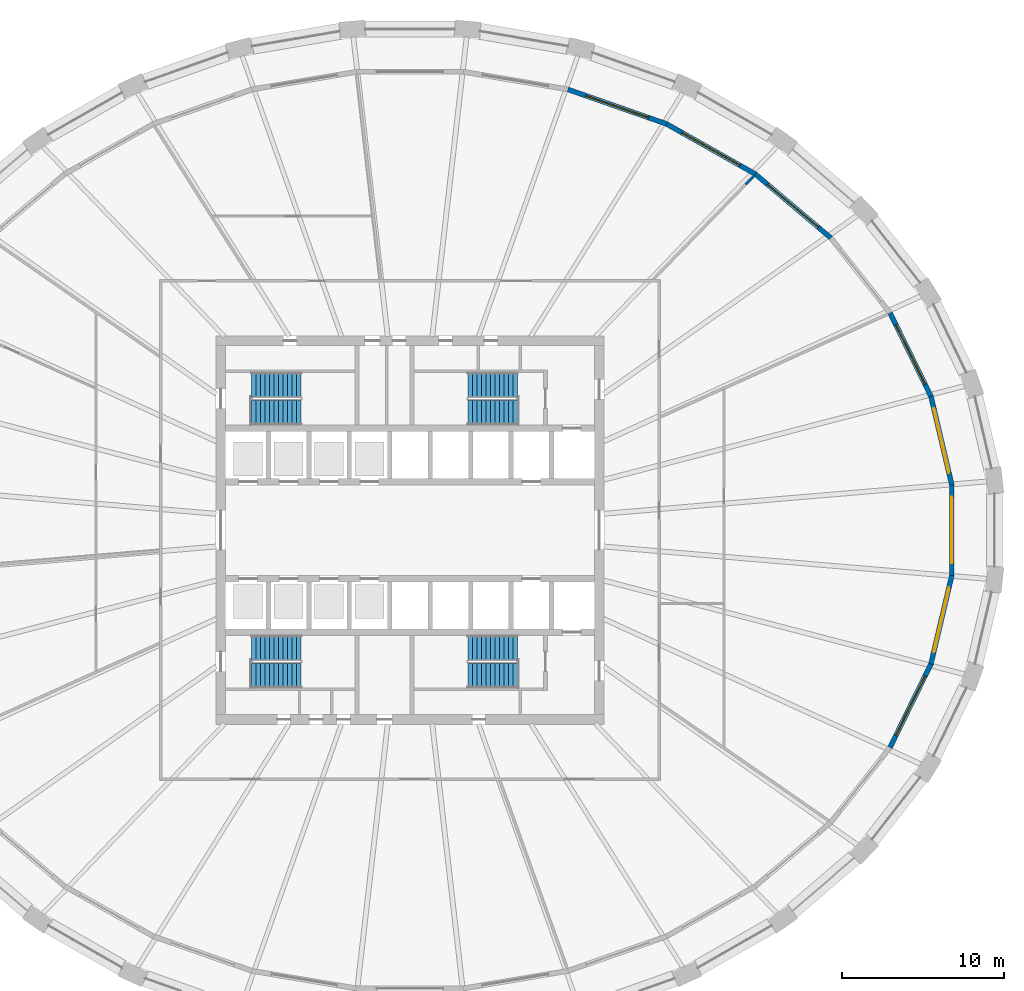
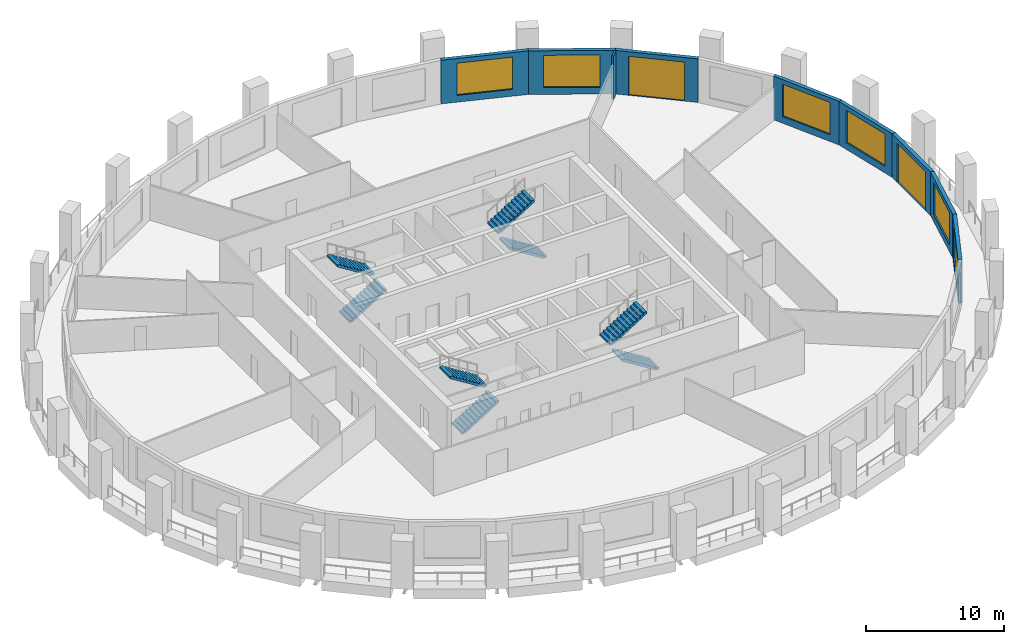
# One storey, part 7 of 10: 9 walls, 8 stair flights, 6 windows, 2 doors, 8 openings, 4 elements without a shape of their own.
"""IFC4 building model written with IfcOpenShell, lengths in metres."""

import ifcopenshell
import ifcopenshell.guid

model = None  # the IFC model being written
_history = None  # IfcOwnerHistory: only IFC2X3 demands one
_inside = {}  # id of a spatial element -> (the spatial element, [elements in it])
_under = {}  # id of a project, library or spatial element -> (it, [spatial elements below it])
_declared = {}  # id of a project -> (the project, [libraries it declares])
_typed = {}  # id of a type object -> (the type object, [elements of that type])
_made_of = {}  # id of a material, layer set ... -> (it, [elements and type objects made of it])


def new_model(schema):
    """Start an empty IFC model of exactly this schema.

    Asked for "IFC4X3", IfcOpenShell would pick the latest addendum, in which some entities
    have other attributes; the version numbers below select the first issue.
    IFC2X3 requires an IfcOwnerHistory on every rooted entity: one is made here for all.
    """
    global model, _history
    if schema == "IFC4X3":
        model = ifcopenshell.file(schema_version=(4, 3, 0, 0))
    else:
        model = ifcopenshell.file(schema=schema)
    _inside.clear()
    _under.clear()
    _declared.clear()
    _typed.clear()
    _made_of.clear()
    _history = None
    if model.schema == "IFC2X3":
        org = make("IfcOrganization", Name="unknown")
        user = make(
            "IfcPersonAndOrganization",
            ThePerson=make("IfcPerson", FamilyName="unknown"),
            TheOrganization=org,
        )
        app = make(
            "IfcApplication",
            ApplicationDeveloper=org,
            Version="unknown",
            ApplicationFullName="unknown",
            ApplicationIdentifier="unknown",
        )
        _history = make(
            "IfcOwnerHistory",
            OwningUser=user,
            OwningApplication=app,
            ChangeAction="ADDED",
            CreationDate=0,
        )
    return model


def make(cls, **values):
    """One entity of the class cls with the attributes given. An attribute that is None is left unset."""
    return model.create_entity(
        cls, **{name: value for name, value in values.items() if value is not None}
    )


def rooted(cls, **values):
    """An entity with a GlobalId (a new one), such as an element, a storey or a relation."""
    return make(cls, GlobalId=ifcopenshell.guid.new(), OwnerHistory=_history, **values)


def si_unit(unit_type, name, prefix=None):
    """IfcSIUnit, for example si_unit("LENGTHUNIT", "METRE", prefix="MILLI")."""
    return make("IfcSIUnit", UnitType=unit_type, Prefix=prefix, Name=name)


def assignment(units):
    """IfcUnitAssignment: the units of a project."""
    return None if units is None else make("IfcUnitAssignment", Units=units)


def point(xyz):
    """IfcCartesianPoint."""
    return None if xyz is None else make("IfcCartesianPoint", Coordinates=xyz)


def direction(xyz):
    """IfcDirection."""
    return None if xyz is None else make("IfcDirection", DirectionRatios=xyz)


def frame(location, z_axis=None, x_axis=None):
    """IfcAxis2Placement3D, a coordinate frame: its origin and axes. An axis left out is left unset."""
    return make(
        "IfcAxis2Placement3D",
        Location=point(location),
        Axis=direction(z_axis),
        RefDirection=direction(x_axis),
    )


def frame_2d(location, x_axis=None):
    """IfcAxis2Placement2D, a coordinate frame in the plane: its origin and x axis."""
    return make(
        "IfcAxis2Placement2D", Location=point(location), RefDirection=direction(x_axis)
    )


def origin():
    """The frame at (0, 0, 0) with its axes left unset."""
    return frame((0.0, 0.0, 0.0))


def place(relative_to, where):
    """IfcLocalPlacement: puts the frame where relative to a parent placement (None: the world)."""
    return make(
        "IfcLocalPlacement", PlacementRelTo=relative_to, RelativePlacement=where
    )


def context(
    kind, dimensions, precision=None, world=None, true_north=None, identifier=None
):
    """IfcGeometricRepresentationContext, for example the 3D "Model" context."""
    return make(
        "IfcGeometricRepresentationContext",
        ContextIdentifier=identifier,
        ContextType=kind,
        CoordinateSpaceDimension=dimensions,
        Precision=precision,
        WorldCoordinateSystem=world,
        TrueNorth=true_north,
    )


def subcontext(parent, identifier, kind, view, scale=None):
    """IfcGeometricRepresentationSubContext, for example "Body" below "Model"."""
    return make(
        "IfcGeometricRepresentationSubContext",
        ContextIdentifier=identifier,
        ContextType=kind,
        ParentContext=parent,
        TargetScale=scale,
        TargetView=view,
    )


def project(units=None, contexts=None):
    """IfcProject with its units and contexts."""
    return rooted(
        "IfcProject",
        Name="project",
        RepresentationContexts=contexts,
        UnitsInContext=assignment(units),
    )


def spatial(cls, under=None, at=None, **own):
    """A site, building, storey or space (cls), placed at a placement, below another one or the project."""
    s = rooted(cls, ObjectPlacement=at, **own)
    if under is not None:
        _under.setdefault(under.id(), (under, []))[1].append(s)
    return s


def polyline(points):
    """IfcPolyline through the points."""
    return make("IfcPolyline", Points=[point(p) for p in points])


def profile(cls, at=None, kind="AREA", **sizes):
    """A parametric profile (cls). Its sizes go by their IFC names, for example OverallWidth=200.0."""
    return make(cls, ProfileType=kind, Position=at, **sizes)


def rectangle(**sizes):
    """IfcRectangleProfileDef."""
    return profile("IfcRectangleProfileDef", **sizes)


def outline(outer, holes=None, kind="AREA"):
    """IfcArbitraryClosedProfileDef: a profile drawn as a closed curve; with holes, ...WithVoids."""
    if holes is None:
        return make("IfcArbitraryClosedProfileDef", ProfileType=kind, OuterCurve=outer)
    return make(
        "IfcArbitraryProfileDefWithVoids",
        ProfileType=kind,
        OuterCurve=outer,
        InnerCurves=holes,
    )


def extrude(swept, where, along, depth):
    """IfcExtrudedAreaSolid: the profile swept, set in the frame where, extruded along a direction by depth."""
    return make(
        "IfcExtrudedAreaSolid",
        SweptArea=swept,
        Position=where,
        ExtrudedDirection=direction(along),
        Depth=depth,
    )


def shape(context_of_items, identifier, shape_type, items):
    """IfcShapeRepresentation: the items that make up one representation, for example the "Body"."""
    return make(
        "IfcShapeRepresentation",
        ContextOfItems=context_of_items,
        RepresentationIdentifier=identifier,
        RepresentationType=shape_type,
        Items=items,
    )


def material(Name=None, Category=None):
    """IfcMaterial."""
    return make("IfcMaterial", Name=Name, Category=Category)


def layer(
    of_material, thickness, ventilated=None, Name=None, Category=None, Priority=None
):
    """IfcMaterialLayer: one layer of a wall or slab, of a material (None: an air gap)."""
    return make(
        "IfcMaterialLayer",
        Material=of_material,
        LayerThickness=thickness,
        IsVentilated=ventilated,
        Name=Name,
        Category=Category,
        Priority=Priority,
    )


def layer_set(layers, Name=None):
    """IfcMaterialLayerSet."""
    return make("IfcMaterialLayerSet", MaterialLayers=layers, LayerSetName=Name)


def made_of(thing, what):
    """Note that an element or type object is made of a material, layer set ...; save() writes the relation."""
    if what is not None:
        _made_of.setdefault(what.id(), (what, []))[1].append(thing)
    return thing


def type_object(cls, material=None, **own):
    """A type object (cls), such as IfcWallType, which elements share."""
    return made_of(rooted(cls, **own), material)


def element(
    cls,
    number,
    at=None,
    inside=None,
    cuts=None,
    type_object=None,
    material=None,
    context=None,
    identifier="Body",
    shape_type=None,
    held_by="IfcProductDefinitionShape",
    body=None,
    shapes=None,
    **own,
):
    """One element of the class cls, such as IfcWall. Its Tag is "e" and its number.

    at: its placement. inside: the storey or other place that contains it. cuts: it is an
    opening in that element (IfcRelVoidsElement). A single representation is given by context,
    identifier, shape_type and body (its items); several are given by shapes. held_by: the class
    of the entity that holds the representations. save() writes the other relations.
    """
    e = rooted(cls, Tag="e%d" % number, ObjectPlacement=at, **own)
    if body is not None:
        shapes = [shape(context, identifier, shape_type, body)]
    if shapes is not None:
        e.Representation = make(held_by, Representations=shapes)
    if inside is not None:
        _inside.setdefault(inside.id(), (inside, []))[1].append(e)
    if cuts is not None:
        rooted(
            "IfcRelVoidsElement", RelatingBuildingElement=cuts, RelatedOpeningElement=e
        )
    if type_object is not None:
        _typed.setdefault(type_object.id(), (type_object, []))[1].append(e)
    return made_of(e, material)


def fill(opening, filler):
    """IfcRelFillsElement: the door or window that sits in an opening."""
    return rooted(
        "IfcRelFillsElement",
        RelatingOpeningElement=opening,
        RelatedBuildingElement=filler,
    )


def aggregate(whole, parts):
    """IfcRelAggregates: a whole, such as a stair, and the parts it consists of."""
    return rooted("IfcRelAggregates", RelatingObject=whole, RelatedObjects=parts)


def save(model, path):
    """Write the relations noted so far, then the file.

    IfcRelAggregates (storeys below a building ...), IfcRelContainedInSpatialStructure (elements
    in a storey), IfcRelDefinesByType, IfcRelAssociatesMaterial and IfcRelDeclares: one each for
    every whole, place, type object, material and project.
    """
    for whole, parts in _under.values():
        aggregate(whole, parts)
    for where, things in _inside.values():
        rooted(
            "IfcRelContainedInSpatialStructure",
            RelatedElements=things,
            RelatingStructure=where,
        )
    for kind, things in _typed.values():
        rooted("IfcRelDefinesByType", RelatedObjects=things, RelatingType=kind)
    for what, things in _made_of.values():
        rooted("IfcRelAssociatesMaterial", RelatedObjects=things, RelatingMaterial=what)
    for by, libraries in _declared.values():
        rooted("IfcRelDeclares", RelatingContext=by, RelatedDefinitions=libraries)
    model.write(path)


model = new_model("IFC4")

# Units and contexts
model_context = context("Model", 3, precision=1e-05, world=origin(), true_north=direction((0.0, 1.0)))
body_context = subcontext(model_context, "Body", "Model", "MODEL_VIEW")
ifc_project = project(units=[si_unit("LENGTHUNIT", "METRE"), si_unit("AREAUNIT", "SQUARE_METRE"), si_unit("VOLUMEUNIT", "CUBIC_METRE"), si_unit("PLANEANGLEUNIT", "RADIAN"), si_unit("MASSUNIT", "GRAM", prefix="KILO")], contexts=[model_context])

# Site, building, storey
site_placement = place(None, origin())
site = spatial("IfcSite", under=ifc_project, at=site_placement, CompositionType="ELEMENT")
building_placement = place(site_placement, origin())
building = spatial("IfcBuilding", under=site, at=building_placement, Name="Halqa Exchange Tower", CompositionType="ELEMENT")
storey_placement = place(building_placement, frame((0.0, 0.0, 94.89990234375)))
storey = spatial("IfcBuildingStorey", under=building, at=storey_placement, Name="L21", CompositionType="ELEMENT", Elevation=94.89990234375)

# Wall
ifc_material_1 = material(Name="Fire-rated gypsum board")
ifc_layer_1 = layer(ifc_material_1, 0.14990234375)
ifc_layer_set_1 = layer_set([ifc_layer_1], Name="Fire-rated gypsum board")
wall_type_1 = type_object("IfcWallType", Name="Fire partition EI 60 150", PredefinedType="PARTITIONING", material=ifc_layer_set_1)
wall_1_placement = place(storey_placement, frame((20.738525390625, 21.357666015625, 0.0), z_axis=(0.0, 0.0, 1.0), x_axis=(0.697039010439, 0.717033205595, 0.0)))
element("IfcWall", 1, at=wall_1_placement, inside=storey, type_object=wall_type_1, Name="L21-PWL-024", PredefinedType="PARTITIONING", context=body_context, shape_type="SweptSolid", body=[
    extrude(outline(polyline([(0.0, 0.074951171875), (0.0, -0.074951171875), (0.708251953125, -0.074951171875), (0.708251953125, 0.074951171875), (0.0, 0.074951171875)])), origin(), (0.0, 0.0, 1.0), 3.85009765625),
])

# Wall, opening, window
ifc_material_2 = material(Name="Limestone cladding", Category="masonry")
ifc_layer_2 = layer(ifc_material_2, 0.0400390625)
ifc_material_3 = material(Name="Ventilated cavity")
ifc_layer_3 = layer(ifc_material_3, 0.030029296875, ventilated=True)
ifc_material_4 = material(Name="Mineral wool insulation")
ifc_layer_4 = layer(ifc_material_4, 0.10009765625)
ifc_material_5 = material(Name="Concrete C30/37", Category="concrete")
ifc_layer_5 = layer(ifc_material_5, 0.10009765625)
ifc_material_6 = material(Name="Internal plaster")
ifc_layer_6 = layer(ifc_material_6, 0.030029296875)
ifc_layer_set_2 = layer_set([ifc_layer_2, ifc_layer_3, ifc_layer_4, ifc_layer_5, ifc_layer_6], Name="Stone-faced insulated wall 300")
wall_type_2 = type_object("IfcWallType", Name="Stone-faced insulated wall 300", PredefinedType="STANDARD", material=ifc_layer_set_2)
wall_2_placement = place(storey_placement, frame((33.478271484375, 2.791748046875, 0.0), z_axis=(0.0, 0.0, 1.0), x_axis=(-0.229073200999, 0.973409198941, 0.0)))
wall_2 = element("IfcWall", 2, at=wall_2_placement, inside=storey, type_object=wall_type_2, Name="Glass-line wall 1", PredefinedType="STANDARD", context=body_context, shape_type="SweptSolid", body=[
    extrude(outline(polyline([(-0.017333984375, -0.14990234375), (5.64208984375, -0.14990234375), (5.6083984375, 0.14990234375), (0.017333984375, 0.14990234375), (-0.017333984375, -0.14990234375)])), origin(), (0.0, 0.0, 1.0), 3.85009765625),
])
opening_1_placement = place(wall_2_placement, frame((0.7626953125, 0.0, 0.60009765625)))
opening_1 = element("IfcOpeningElement", 3, at=opening_1_placement, cuts=wall_2, Name="Opening W-F1-01", PredefinedType="OPENING", context=body_context, shape_type="SweptSolid", body=[
    extrude(rectangle(XDim=4.10009765625, YDim=2.85009765625, at=frame_2d((2.050048828125, 1.425048828125))), frame((0.0, 0.162109375, 0.0), z_axis=(0.0, -1.0, 0.0), x_axis=(1.0, 0.0, 0.0)), (0.0, 0.0, 1.0), 0.323974609375),
])
ifc_material_7 = material(Name="Clear low-emissivity glass in aluminium frame", Category="aluminium")
window_type = type_object("IfcWindowType", Name="Fixed clear glazed window 4100 x 2850", PartitioningType="TRIPLE_PANEL_VERTICAL", PredefinedType="WINDOW", material=ifc_material_7)
window_1_placement = place(opening_1_placement, origin())
window_1 = element("IfcWindow", 4, at=window_1_placement, inside=storey, type_object=window_type, Name="Window 1", OverallHeight=2.85009765625, OverallWidth=4.10009765625, PartitioningType="TRIPLE_PANEL_VERTICAL", PredefinedType="WINDOW", context=body_context, shape_type="SweptSolid", body=[
    extrude(rectangle(XDim=4.10009765625, YDim=2.85009765625, at=frame_2d((2.050048828125, 1.425048828125))), frame((0.0, 0.030029296875, 0.0), z_axis=(0.0, -1.0, 0.0), x_axis=(1.0, 0.0, 0.0)), (0.0, 0.0, 1.0), 0.06005859375),
])
fill(opening_1, window_1)

wall_3_placement = place(storey_placement, frame((32.189697265625, 8.267333984375, 0.0), z_axis=(0.0, 0.0, 1.0), x_axis=(-0.44010747541, 0.897945104162, 0.0)))
wall_3 = element("IfcWall", 5, at=wall_3_placement, inside=storey, type_object=wall_type_2, Name="Glass-line wall 2", PredefinedType="STANDARD", context=body_context, shape_type="SweptSolid", body=[
    extrude(outline(polyline([(-0.016845703125, -0.14990234375), (5.758056640625, -0.14990234375), (5.725830078125, 0.14990234375), (0.016845703125, 0.14990234375), (-0.016845703125, -0.14990234375)])), origin(), (0.0, 0.0, 1.0), 3.85009765625),
])
opening_2_placement = place(wall_3_placement, frame((0.821044921875, 0.0, 0.60009765625)))
opening_2 = element("IfcOpeningElement", 6, at=opening_2_placement, cuts=wall_3, Name="Opening W-F1-02", PredefinedType="OPENING", context=body_context, shape_type="SweptSolid", body=[
    extrude(rectangle(XDim=4.10009765625, YDim=2.85009765625, at=frame_2d((2.050048828125, 1.425048828125))), frame((0.0, 0.162109375, 0.0), z_axis=(0.0, -1.0, 0.0), x_axis=(1.0, 0.0, 0.0)), (0.0, 0.0, 1.0), 0.323974609375),
])
window_2_placement = place(opening_2_placement, origin())
window_2 = element("IfcWindow", 7, at=window_2_placement, inside=storey, type_object=window_type, Name="Window 1", OverallHeight=2.85009765625, OverallWidth=4.10009765625, PartitioningType="TRIPLE_PANEL_VERTICAL", PredefinedType="WINDOW", context=body_context, shape_type="SweptSolid", body=[
    extrude(rectangle(XDim=4.10009765625, YDim=2.85009765625, at=frame_2d((2.050048828125, 1.425048828125))), frame((0.0, 0.030029296875, 0.0), z_axis=(0.0, -1.0, 0.0), x_axis=(1.0, 0.0, 0.0)), (0.0, 0.0, 1.0), 0.06005859375),
])
fill(opening_2, window_2)

# Wall, opening, door
wall_4_placement = place(storey_placement, frame((25.99609375, 18.0615234375, 0.0), z_axis=(0.0, 0.0, 1.0), x_axis=(-0.763753100684, 0.645508482667, 0.0)))
wall_4 = element("IfcWall", 8, at=wall_4_placement, inside=storey, type_object=wall_type_2, Name="Glass-line wall 4", PredefinedType="STANDARD", context=body_context, shape_type="SweptSolid", body=[
    extrude(outline(polyline([(-0.01513671875, -0.14990234375), (6.12158203125, -0.14990234375), (6.09326171875, 0.14990234375), (0.01513671875, 0.14990234375), (-0.01513671875, -0.14990234375)])), origin(), (0.0, 0.0, 1.0), 3.85009765625),
])
opening_3_placement = place(wall_4_placement, frame((1.003662109375, 0.0, 0.0)))
opening_3 = element("IfcOpeningElement", 9, at=opening_3_placement, cuts=wall_4, Name="Opening LG-F1-01", PredefinedType="OPENING", context=body_context, shape_type="SweptSolid", body=[
    extrude(rectangle(XDim=4.10009765625, YDim=3.449951171875, at=frame_2d((2.050048828125, 1.72509765625))), frame((0.0, 0.162109375, 0.0), z_axis=(0.0, -1.0, 0.0), x_axis=(1.0, 0.0, 0.0)), (0.0, 0.0, 1.0), 0.323974609375),
])
door_type = type_object("IfcDoorType", Name="Glazed sliding loggia door 4100 x 3450", OperationType="DOUBLE_DOOR_SLIDING", PredefinedType="DOOR", material=ifc_material_7)
door_1_placement = place(opening_3_placement, origin())
door_1 = element("IfcDoor", 10, at=door_1_placement, inside=storey, type_object=door_type, Name="Loggia door 1", OperationType="DOUBLE_DOOR_SLIDING", OverallHeight=3.449951171875, OverallWidth=4.10009765625, PredefinedType="DOOR", context=body_context, shape_type="SweptSolid", body=[
    extrude(rectangle(XDim=4.10009765625, YDim=3.449951171875, at=frame_2d((2.050048828125, 1.72509765625))), frame((0.0, 0.02490234375, 0.0), z_axis=(0.0, -1.0, 0.0), x_axis=(1.0, 0.0, 0.0)), (0.0, 0.0, 1.0), 0.050048828125),
])
fill(opening_3, door_1)

# Wall, opening, window
wall_5_placement = place(storey_placement, frame((21.33154296875, 22.00390625, 0.0), z_axis=(0.0, 0.0, 1.0), x_axis=(-0.870737550302, 0.491748023376, 0.0)))
wall_5 = element("IfcWall", 11, at=wall_5_placement, inside=storey, type_object=wall_type_2, Name="Glass-line wall 5", PredefinedType="STANDARD", context=body_context, shape_type="SweptSolid", body=[
    extrude(outline(polyline([(-0.01416015625, -0.14990234375), (6.309814453125, -0.14990234375), (6.282958984375, 0.14990234375), (0.01416015625, 0.14990234375), (-0.01416015625, -0.14990234375)])), origin(), (0.0, 0.0, 1.0), 3.85009765625),
])
opening_4_placement = place(wall_5_placement, frame((1.09814453125, 0.0, 0.60009765625)))
opening_4 = element("IfcOpeningElement", 12, at=opening_4_placement, cuts=wall_5, Name="Opening W-F1-05", PredefinedType="OPENING", context=body_context, shape_type="SweptSolid", body=[
    extrude(rectangle(XDim=4.10009765625, YDim=2.85009765625, at=frame_2d((2.050048828125, 1.425048828125))), frame((0.0, 0.162109375, 0.0), z_axis=(0.0, -1.0, 0.0), x_axis=(1.0, 0.0, 0.0)), (0.0, 0.0, 1.0), 0.323974609375),
])
window_3_placement = place(opening_4_placement, origin())
window_3 = element("IfcWindow", 13, at=window_3_placement, inside=storey, type_object=window_type, Name="Window 1", OverallHeight=2.85009765625, OverallWidth=4.10009765625, PartitioningType="TRIPLE_PANEL_VERTICAL", PredefinedType="WINDOW", context=body_context, shape_type="SweptSolid", body=[
    extrude(rectangle(XDim=4.10009765625, YDim=2.85009765625, at=frame_2d((2.050048828125, 1.425048828125))), frame((0.0, 0.030029296875, 0.0), z_axis=(0.0, -1.0, 0.0), x_axis=(1.0, 0.0, 0.0)), (0.0, 0.0, 1.0), 0.06005859375),
])
fill(opening_4, window_3)

wall_6_placement = place(storey_placement, frame((15.84912109375, 25.10009765625, 0.0), z_axis=(0.0, 0.0, 1.0), x_axis=(-0.943820008365, 0.330459970057, 0.0)))
wall_6 = element("IfcWall", 14, at=wall_6_placement, inside=storey, type_object=wall_type_2, Name="Glass-line wall 6", PredefinedType="STANDARD", context=body_context, shape_type="SweptSolid", body=[
    extrude(outline(polyline([(-0.013427734375, -0.14990234375), (6.46533203125, -0.14990234375), (6.43994140625, 0.14990234375), (0.013427734375, 0.14990234375), (-0.013427734375, -0.14990234375)])), origin(), (0.0, 0.0, 1.0), 3.85009765625),
])
opening_5_placement = place(wall_6_placement, frame((1.17626953125, 0.0, 0.60009765625)))
opening_5 = element("IfcOpeningElement", 15, at=opening_5_placement, cuts=wall_6, Name="Opening W-F1-06", PredefinedType="OPENING", context=body_context, shape_type="SweptSolid", body=[
    extrude(rectangle(XDim=4.10009765625, YDim=2.85009765625, at=frame_2d((2.050048828125, 1.425048828125))), frame((0.0, 0.162109375, 0.0), z_axis=(0.0, -1.0, 0.0), x_axis=(1.0, 0.0, 0.0)), (0.0, 0.0, 1.0), 0.323974609375),
])
window_4_placement = place(opening_5_placement, origin())
window_4 = element("IfcWindow", 16, at=window_4_placement, inside=storey, type_object=window_type, Name="Window 1", OverallHeight=2.85009765625, OverallWidth=4.10009765625, PartitioningType="TRIPLE_PANEL_VERTICAL", PredefinedType="WINDOW", context=body_context, shape_type="SweptSolid", body=[
    extrude(rectangle(XDim=4.10009765625, YDim=2.85009765625, at=frame_2d((2.050048828125, 1.425048828125))), frame((0.0, 0.030029296875, 0.0), z_axis=(0.0, -1.0, 0.0), x_axis=(1.0, 0.0, 0.0)), (0.0, 0.0, 1.0), 0.06005859375),
])
fill(opening_5, window_4)

wall_7_placement = place(storey_placement, frame((29.66259765625, -13.42333984375, 0.0), z_axis=(0.0, 0.0, 1.0), x_axis=(0.44010747541, 0.897945104162, 0.0)))
wall_7 = element("IfcWall", 17, at=wall_7_placement, inside=storey, type_object=wall_type_2, Name="Glass-line wall 30", PredefinedType="STANDARD", context=body_context, shape_type="SweptSolid", body=[
    extrude(outline(polyline([(-0.01611328125, -0.14990234375), (5.7587890625, -0.14990234375), (5.72509765625, 0.14990234375), (0.01611328125, 0.14990234375), (-0.01611328125, -0.14990234375)])), origin(), (0.0, 0.0, 1.0), 3.85009765625),
])
opening_6_placement = place(wall_7_placement, frame((0.821044921875, 0.0, 0.60009765625)))
opening_6 = element("IfcOpeningElement", 18, at=opening_6_placement, cuts=wall_7, Name="Opening W-F1-30", PredefinedType="OPENING", context=body_context, shape_type="SweptSolid", body=[
    extrude(rectangle(XDim=4.10009765625, YDim=2.85009765625, at=frame_2d((2.050048828125, 1.425048828125))), frame((0.0, 0.162109375, 0.0), z_axis=(0.0, -1.0, 0.0), x_axis=(1.0, 0.0, 0.0)), (0.0, 0.0, 1.0), 0.323974609375),
])
window_5_placement = place(opening_6_placement, origin())
window_5 = element("IfcWindow", 19, at=window_5_placement, inside=storey, type_object=window_type, Name="Window 1", OverallHeight=2.85009765625, OverallWidth=4.10009765625, PartitioningType="TRIPLE_PANEL_VERTICAL", PredefinedType="WINDOW", context=body_context, shape_type="SweptSolid", body=[
    extrude(rectangle(XDim=4.10009765625, YDim=2.85009765625, at=frame_2d((2.050048828125, 1.425048828125))), frame((0.0, 0.030029296875, 0.0), z_axis=(0.0, -1.0, 0.0), x_axis=(1.0, 0.0, 0.0)), (0.0, 0.0, 1.0), 0.06005859375),
])
fill(opening_6, window_5)

wall_8_placement = place(storey_placement, frame((32.189697265625, -8.267333984375, 0.0), z_axis=(0.0, 0.0, 1.0), x_axis=(0.229073200999, 0.973409198941, 0.0)))
wall_8 = element("IfcWall", 20, at=wall_8_placement, inside=storey, type_object=wall_type_2, Name="Glass-line wall 31", PredefinedType="STANDARD", context=body_context, shape_type="SweptSolid", body=[
    extrude(outline(polyline([(-0.016845703125, -0.14990234375), (5.642578125, -0.14990234375), (5.60791015625, 0.14990234375), (0.016845703125, 0.14990234375), (-0.016845703125, -0.14990234375)])), origin(), (0.0, 0.0, 1.0), 3.85009765625),
])
opening_7_placement = place(wall_8_placement, frame((0.7626953125, 0.0, 0.60009765625)))
opening_7 = element("IfcOpeningElement", 21, at=opening_7_placement, cuts=wall_8, Name="Opening W-F1-31", PredefinedType="OPENING", context=body_context, shape_type="SweptSolid", body=[
    extrude(rectangle(XDim=4.10009765625, YDim=2.85009765625, at=frame_2d((2.050048828125, 1.425048828125))), frame((0.0, 0.162109375, 0.0), z_axis=(0.0, -1.0, 0.0), x_axis=(1.0, 0.0, 0.0)), (0.0, 0.0, 1.0), 0.323974609375),
])
window_6_placement = place(opening_7_placement, origin())
window_6 = element("IfcWindow", 22, at=window_6_placement, inside=storey, type_object=window_type, Name="Window 1", OverallHeight=2.85009765625, OverallWidth=4.10009765625, PartitioningType="TRIPLE_PANEL_VERTICAL", PredefinedType="WINDOW", context=body_context, shape_type="SweptSolid", body=[
    extrude(rectangle(XDim=4.10009765625, YDim=2.85009765625, at=frame_2d((2.050048828125, 1.425048828125))), frame((0.0, 0.030029296875, 0.0), z_axis=(0.0, -1.0, 0.0), x_axis=(1.0, 0.0, 0.0)), (0.0, 0.0, 1.0), 0.06005859375),
])
fill(opening_7, window_6)

# Wall, opening, door
wall_9_placement = place(storey_placement, frame((33.478271484375, -2.791748046875, 0.0), z_axis=(0.0, 0.0, 1.0), x_axis=(0.0, 1.0, 0.0)))
wall_9 = element("IfcWall", 23, at=wall_9_placement, inside=storey, type_object=wall_type_2, Name="Glass-line wall 32", PredefinedType="STANDARD", context=body_context, shape_type="SweptSolid", body=[
    extrude(outline(polyline([(-0.017333984375, -0.14990234375), (5.600830078125, -0.14990234375), (5.566162109375, 0.14990234375), (0.017333984375, 0.14990234375), (-0.017333984375, -0.14990234375)])), origin(), (0.0, 0.0, 1.0), 3.85009765625),
])
opening_8_placement = place(wall_9_placement, frame((0.74169921875, 0.0, 0.0)))
opening_8 = element("IfcOpeningElement", 24, at=opening_8_placement, cuts=wall_9, Name="Opening LG-F1-08", PredefinedType="OPENING", context=body_context, shape_type="SweptSolid", body=[
    extrude(rectangle(XDim=4.10009765625, YDim=3.449951171875, at=frame_2d((2.050048828125, 1.72509765625))), frame((0.0, 0.162109375, 0.0), z_axis=(0.0, -1.0, 0.0), x_axis=(1.0, 0.0, 0.0)), (0.0, 0.0, 1.0), 0.323974609375),
])
door_2_placement = place(opening_8_placement, origin())
door_2 = element("IfcDoor", 25, at=door_2_placement, inside=storey, type_object=door_type, Name="Loggia door 8", OperationType="DOUBLE_DOOR_SLIDING", OverallHeight=3.449951171875, OverallWidth=4.10009765625, PredefinedType="DOOR", context=body_context, shape_type="SweptSolid", body=[
    extrude(rectangle(XDim=4.10009765625, YDim=3.449951171875, at=frame_2d((2.050048828125, 1.72509765625))), frame((0.0, 0.02490234375, 0.0), z_axis=(0.0, -1.0, 0.0), x_axis=(1.0, 0.0, 0.0)), (0.0, 0.0, 1.0), 0.050048828125),
])
fill(opening_8, door_2)

# Stair, stair flights
stair_type = type_object("IfcStairType", Name="Exit stair 1500 wide", PredefinedType="HALF_TURN_STAIR", material=ifc_material_5)
stair_1_placement = place(storey_placement, origin())
stair_1 = element("IfcStair", 26, at=stair_1_placement, inside=storey, type_object=stair_type, Name="Exit stair ST1", PredefinedType="HALF_TURN_STAIR")
stair_flight_type = type_object("IfcStairFlightType", Name="Stair flight 1500 wide", PredefinedType="STRAIGHT", material=ifc_material_5)
stair_flight_1_placement = place(storey_placement, frame((-9.800048828125, 7.25, 0.0), z_axis=(0.0, 0.0, 1.0), x_axis=(1.0, 0.0, 0.0)))
stair_flight_1 = element("IfcStairFlight", 27, at=stair_flight_1_placement, type_object=stair_flight_type, Name="ST1 flight 1", NumberOfRisers=12, NumberOfTreads=11, PredefinedType="STRAIGHT", RiserHeight=0.175, TreadLength=0.28, context=body_context, shape_type="SweptSolid", body=[
    extrude(outline(polyline([(0.0, 0.0), (0.0, 0.175048828125), (0.280029296875, 0.175048828125), (0.280029296875, 0.35009765625), (0.56005859375, 0.35009765625), (0.56005859375, 0.52490234375), (0.840087890625, 0.52490234375), (0.840087890625, 0.699951171875), (1.1201171875, 0.699951171875), (1.1201171875, 0.875), (1.39990234375, 0.875), (1.39990234375, 1.050048828125), (1.679931640625, 1.050048828125), (1.679931640625, 1.22509765625), (1.9599609375, 1.22509765625), (1.9599609375, 1.39990234375), (2.239990234375, 1.39990234375), (2.239990234375, 1.574951171875), (2.52001953125, 1.574951171875), (2.52001953125, 1.75), (2.800048828125, 1.75), (2.800048828125, 1.925048828125), (3.080078125, 1.925048828125), (3.080078125, 2.10009765625), (3.080078125, 1.748291015625), (0.28271484375, 0.0), (0.0, 0.0)])), frame((0.0, 0.75, 0.0), z_axis=(0.0, -1.0, 0.0), x_axis=(1.0, 0.0, 0.0)), (0.0, 0.0, 1.0), 1.5),
])
stair_flight_2_placement = place(storey_placement, frame((-6.719970703125, 9.0, 2.10009765625), z_axis=(0.0, 0.0, 1.0), x_axis=(-1.0, 0.0, 0.0)))
stair_flight_2 = element("IfcStairFlight", 28, at=stair_flight_2_placement, type_object=stair_flight_type, Name="ST1 flight 2", NumberOfRisers=12, NumberOfTreads=11, PredefinedType="STRAIGHT", RiserHeight=0.175, TreadLength=0.28, context=body_context, shape_type="SweptSolid", body=[
    extrude(outline(polyline([(0.0, 0.0), (0.0, 0.175048828125), (0.280029296875, 0.175048828125), (0.280029296875, 0.35009765625), (0.56005859375, 0.35009765625), (0.56005859375, 0.52490234375), (0.840087890625, 0.52490234375), (0.840087890625, 0.699951171875), (1.1201171875, 0.699951171875), (1.1201171875, 0.875), (1.39990234375, 0.875), (1.39990234375, 1.050048828125), (1.679931640625, 1.050048828125), (1.679931640625, 1.22509765625), (1.9599609375, 1.22509765625), (1.9599609375, 1.39990234375), (2.239990234375, 1.39990234375), (2.239990234375, 1.574951171875), (2.52001953125, 1.574951171875), (2.52001953125, 1.75), (2.800048828125, 1.75), (2.800048828125, 1.925048828125), (3.080078125, 1.925048828125), (3.080078125, 2.10009765625), (3.080078125, 1.748291015625), (0.28271484375, 0.0), (0.0, 0.0)])), frame((0.0, 0.75, 0.0), z_axis=(0.0, -1.0, 0.0), x_axis=(1.0, 0.0, 0.0)), (0.0, 0.0, 1.0), 1.5),
])
aggregate(stair_1, [stair_flight_1, stair_flight_2])

stair_2_placement = place(storey_placement, origin())
stair_2 = element("IfcStair", 29, at=stair_2_placement, inside=storey, type_object=stair_type, Name="Exit stair ST2", PredefinedType="HALF_TURN_STAIR")
stair_flight_3_placement = place(storey_placement, frame((6.64990234375, 7.25, 0.0), z_axis=(0.0, 0.0, 1.0), x_axis=(-1.0, 0.0, 0.0)))
stair_flight_3 = element("IfcStairFlight", 30, at=stair_flight_3_placement, type_object=stair_flight_type, Name="ST2 flight 1", NumberOfRisers=12, NumberOfTreads=11, PredefinedType="STRAIGHT", RiserHeight=0.175, TreadLength=0.28, context=body_context, shape_type="SweptSolid", body=[
    extrude(outline(polyline([(0.0, 0.0), (0.0, 0.175048828125), (0.280029296875, 0.175048828125), (0.280029296875, 0.35009765625), (0.56005859375, 0.35009765625), (0.56005859375, 0.52490234375), (0.840087890625, 0.52490234375), (0.840087890625, 0.699951171875), (1.1201171875, 0.699951171875), (1.1201171875, 0.875), (1.39990234375, 0.875), (1.39990234375, 1.050048828125), (1.679931640625, 1.050048828125), (1.679931640625, 1.22509765625), (1.9599609375, 1.22509765625), (1.9599609375, 1.39990234375), (2.239990234375, 1.39990234375), (2.239990234375, 1.574951171875), (2.52001953125, 1.574951171875), (2.52001953125, 1.75), (2.800048828125, 1.75), (2.800048828125, 1.925048828125), (3.080078125, 1.925048828125), (3.080078125, 2.10009765625), (3.080078125, 1.748291015625), (0.28271484375, 0.0), (0.0, 0.0)])), frame((0.0, 0.75, 0.0), z_axis=(0.0, -1.0, 0.0), x_axis=(1.0, 0.0, 0.0)), (0.0, 0.0, 1.0), 1.5),
])
stair_flight_4_placement = place(storey_placement, frame((3.570068359375, 9.0, 2.10009765625), z_axis=(0.0, 0.0, 1.0), x_axis=(1.0, 0.0, 0.0)))
stair_flight_4 = element("IfcStairFlight", 31, at=stair_flight_4_placement, type_object=stair_flight_type, Name="ST2 flight 2", NumberOfRisers=12, NumberOfTreads=11, PredefinedType="STRAIGHT", RiserHeight=0.175, TreadLength=0.28, context=body_context, shape_type="SweptSolid", body=[
    extrude(outline(polyline([(0.0, 0.0), (0.0, 0.175048828125), (0.280029296875, 0.175048828125), (0.280029296875, 0.35009765625), (0.56005859375, 0.35009765625), (0.56005859375, 0.52490234375), (0.840087890625, 0.52490234375), (0.840087890625, 0.699951171875), (1.1201171875, 0.699951171875), (1.1201171875, 0.875), (1.39990234375, 0.875), (1.39990234375, 1.050048828125), (1.679931640625, 1.050048828125), (1.679931640625, 1.22509765625), (1.9599609375, 1.22509765625), (1.9599609375, 1.39990234375), (2.239990234375, 1.39990234375), (2.239990234375, 1.574951171875), (2.52001953125, 1.574951171875), (2.52001953125, 1.75), (2.800048828125, 1.75), (2.800048828125, 1.925048828125), (3.080078125, 1.925048828125), (3.080078125, 2.10009765625), (3.080078125, 1.748291015625), (0.28271484375, 0.0), (0.0, 0.0)])), frame((0.0, 0.75, 0.0), z_axis=(0.0, -1.0, 0.0), x_axis=(1.0, 0.0, 0.0)), (0.0, 0.0, 1.0), 1.5),
])
aggregate(stair_2, [stair_flight_3, stair_flight_4])

stair_3_placement = place(storey_placement, origin())
stair_3 = element("IfcStair", 32, at=stair_3_placement, inside=storey, type_object=stair_type, Name="Exit stair ST3", PredefinedType="HALF_TURN_STAIR")
stair_flight_5_placement = place(storey_placement, frame((-9.800048828125, -9.0, 0.0), z_axis=(0.0, 0.0, 1.0), x_axis=(1.0, 0.0, 0.0)))
stair_flight_5 = element("IfcStairFlight", 33, at=stair_flight_5_placement, type_object=stair_flight_type, Name="ST3 flight 1", NumberOfRisers=12, NumberOfTreads=11, PredefinedType="STRAIGHT", RiserHeight=0.175, TreadLength=0.28, context=body_context, shape_type="SweptSolid", body=[
    extrude(outline(polyline([(0.0, 0.0), (0.0, 0.175048828125), (0.280029296875, 0.175048828125), (0.280029296875, 0.35009765625), (0.56005859375, 0.35009765625), (0.56005859375, 0.52490234375), (0.840087890625, 0.52490234375), (0.840087890625, 0.699951171875), (1.1201171875, 0.699951171875), (1.1201171875, 0.875), (1.39990234375, 0.875), (1.39990234375, 1.050048828125), (1.679931640625, 1.050048828125), (1.679931640625, 1.22509765625), (1.9599609375, 1.22509765625), (1.9599609375, 1.39990234375), (2.239990234375, 1.39990234375), (2.239990234375, 1.574951171875), (2.52001953125, 1.574951171875), (2.52001953125, 1.75), (2.800048828125, 1.75), (2.800048828125, 1.925048828125), (3.080078125, 1.925048828125), (3.080078125, 2.10009765625), (3.080078125, 1.748291015625), (0.28271484375, 0.0), (0.0, 0.0)])), frame((0.0, 0.75, 0.0), z_axis=(0.0, -1.0, 0.0), x_axis=(1.0, 0.0, 0.0)), (0.0, 0.0, 1.0), 1.5),
])
stair_flight_6_placement = place(storey_placement, frame((-6.719970703125, -7.25, 2.10009765625), z_axis=(0.0, 0.0, 1.0), x_axis=(-1.0, 0.0, 0.0)))
stair_flight_6 = element("IfcStairFlight", 34, at=stair_flight_6_placement, type_object=stair_flight_type, Name="ST3 flight 2", NumberOfRisers=12, NumberOfTreads=11, PredefinedType="STRAIGHT", RiserHeight=0.175, TreadLength=0.28, context=body_context, shape_type="SweptSolid", body=[
    extrude(outline(polyline([(0.0, 0.0), (0.0, 0.175048828125), (0.280029296875, 0.175048828125), (0.280029296875, 0.35009765625), (0.56005859375, 0.35009765625), (0.56005859375, 0.52490234375), (0.840087890625, 0.52490234375), (0.840087890625, 0.699951171875), (1.1201171875, 0.699951171875), (1.1201171875, 0.875), (1.39990234375, 0.875), (1.39990234375, 1.050048828125), (1.679931640625, 1.050048828125), (1.679931640625, 1.22509765625), (1.9599609375, 1.22509765625), (1.9599609375, 1.39990234375), (2.239990234375, 1.39990234375), (2.239990234375, 1.574951171875), (2.52001953125, 1.574951171875), (2.52001953125, 1.75), (2.800048828125, 1.75), (2.800048828125, 1.925048828125), (3.080078125, 1.925048828125), (3.080078125, 2.10009765625), (3.080078125, 1.748291015625), (0.28271484375, 0.0), (0.0, 0.0)])), frame((0.0, 0.75, 0.0), z_axis=(0.0, -1.0, 0.0), x_axis=(1.0, 0.0, 0.0)), (0.0, 0.0, 1.0), 1.5),
])
aggregate(stair_3, [stair_flight_5, stair_flight_6])

stair_4_placement = place(storey_placement, origin())
stair_4 = element("IfcStair", 35, at=stair_4_placement, inside=storey, type_object=stair_type, Name="Exit stair ST4", PredefinedType="HALF_TURN_STAIR")
stair_flight_7_placement = place(storey_placement, frame((6.64990234375, -9.0, 0.0), z_axis=(0.0, 0.0, 1.0), x_axis=(-1.0, 0.0, 0.0)))
stair_flight_7 = element("IfcStairFlight", 36, at=stair_flight_7_placement, type_object=stair_flight_type, Name="ST4 flight 1", NumberOfRisers=12, NumberOfTreads=11, PredefinedType="STRAIGHT", RiserHeight=0.175, TreadLength=0.28, context=body_context, shape_type="SweptSolid", body=[
    extrude(outline(polyline([(0.0, 0.0), (0.0, 0.175048828125), (0.280029296875, 0.175048828125), (0.280029296875, 0.35009765625), (0.56005859375, 0.35009765625), (0.56005859375, 0.52490234375), (0.840087890625, 0.52490234375), (0.840087890625, 0.699951171875), (1.1201171875, 0.699951171875), (1.1201171875, 0.875), (1.39990234375, 0.875), (1.39990234375, 1.050048828125), (1.679931640625, 1.050048828125), (1.679931640625, 1.22509765625), (1.9599609375, 1.22509765625), (1.9599609375, 1.39990234375), (2.239990234375, 1.39990234375), (2.239990234375, 1.574951171875), (2.52001953125, 1.574951171875), (2.52001953125, 1.75), (2.800048828125, 1.75), (2.800048828125, 1.925048828125), (3.080078125, 1.925048828125), (3.080078125, 2.10009765625), (3.080078125, 1.748291015625), (0.28271484375, 0.0), (0.0, 0.0)])), frame((0.0, 0.75, 0.0), z_axis=(0.0, -1.0, 0.0), x_axis=(1.0, 0.0, 0.0)), (0.0, 0.0, 1.0), 1.5),
])
stair_flight_8_placement = place(storey_placement, frame((3.570068359375, -7.25, 2.10009765625), z_axis=(0.0, 0.0, 1.0), x_axis=(1.0, 0.0, 0.0)))
stair_flight_8 = element("IfcStairFlight", 37, at=stair_flight_8_placement, type_object=stair_flight_type, Name="ST4 flight 2", NumberOfRisers=12, NumberOfTreads=11, PredefinedType="STRAIGHT", RiserHeight=0.175, TreadLength=0.28, context=body_context, shape_type="SweptSolid", body=[
    extrude(outline(polyline([(0.0, 0.0), (0.0, 0.175048828125), (0.280029296875, 0.175048828125), (0.280029296875, 0.35009765625), (0.56005859375, 0.35009765625), (0.56005859375, 0.52490234375), (0.840087890625, 0.52490234375), (0.840087890625, 0.699951171875), (1.1201171875, 0.699951171875), (1.1201171875, 0.875), (1.39990234375, 0.875), (1.39990234375, 1.050048828125), (1.679931640625, 1.050048828125), (1.679931640625, 1.22509765625), (1.9599609375, 1.22509765625), (1.9599609375, 1.39990234375), (2.239990234375, 1.39990234375), (2.239990234375, 1.574951171875), (2.52001953125, 1.574951171875), (2.52001953125, 1.75), (2.800048828125, 1.75), (2.800048828125, 1.925048828125), (3.080078125, 1.925048828125), (3.080078125, 2.10009765625), (3.080078125, 1.748291015625), (0.28271484375, 0.0), (0.0, 0.0)])), frame((0.0, 0.75, 0.0), z_axis=(0.0, -1.0, 0.0), x_axis=(1.0, 0.0, 0.0)), (0.0, 0.0, 1.0), 1.5),
])
aggregate(stair_4, [stair_flight_7, stair_flight_8])

save(model, "model.ifc")
